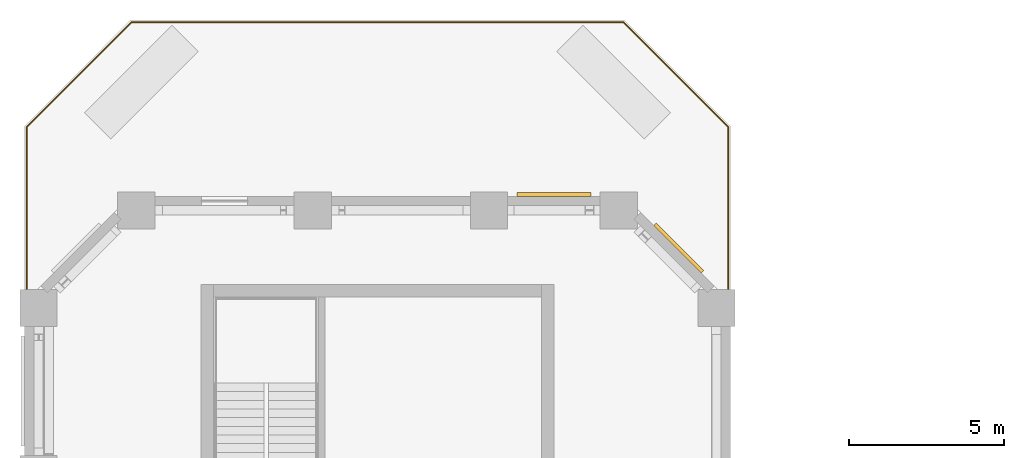
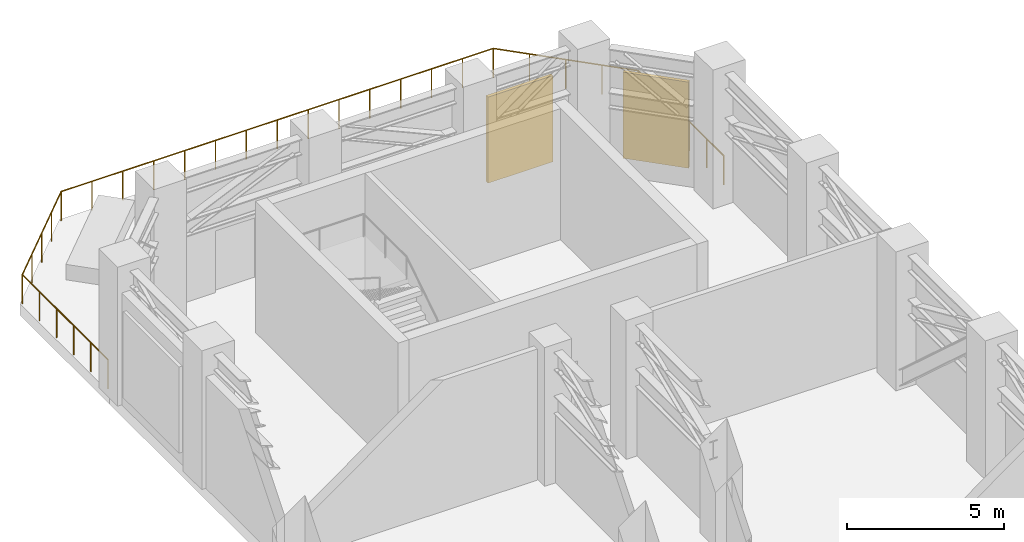
# One storey, part 14 of 14: 2 shading devices, 1 railing.
"""IFC4 building model written with IfcOpenShell, lengths in metres."""

from ifc_helpers import new_model, si_unit, direction, frame, origin, origin_2d, place, context, subcontext, project, spatial, rectangle, circle, extrude, material, layer, layer_set, type_object, element, save


model = new_model("IFC4")

# Units and contexts
model_context = context("Model", 3, precision=1e-05, world=origin(), true_north=direction((0.0, 1.0)))
body_context = subcontext(model_context, "Body", "Model", "MODEL_VIEW")
ifc_project = project(units=[si_unit("LENGTHUNIT", "METRE"), si_unit("AREAUNIT", "SQUARE_METRE"), si_unit("VOLUMEUNIT", "CUBIC_METRE"), si_unit("PLANEANGLEUNIT", "RADIAN"), si_unit("MASSUNIT", "GRAM", prefix="KILO")], contexts=[model_context])

# Site, building, storey
site_placement = place(None, origin())
site = spatial("IfcSite", under=ifc_project, at=site_placement, CompositionType="ELEMENT")
building_placement = place(site_placement, origin())
building = spatial("IfcBuilding", under=site, at=building_placement, Name="Meshkara Civic Tower", CompositionType="ELEMENT")
storey_placement = place(building_placement, frame((0.0, 0.0, 220.199951171875)))
storey = spatial("IfcBuildingStorey", under=building, at=storey_placement, Name="L50", CompositionType="ELEMENT", Elevation=220.199951171875)

# Shading devices
ifc_material_1 = material(Name="Bronze anodised aluminium louvre blades", Category="aluminium")
ifc_layer = layer(ifc_material_1, 0.1201171875)
ifc_layer_set = layer_set([ifc_layer], Name="PLANT LOUVRE BANK")
shading_device_type = type_object("IfcShadingDeviceType", Name="PLANT LOUVRE BANK", PredefinedType="USERDEFINED", material=ifc_layer_set)
shading_device_1_placement = place(storey_placement, frame((21.132080078125, 64.451904296875, 0.5), z_axis=(0.0, 0.0, 1.0), x_axis=(-0.707106781187, 0.707106781187, 0.0)))
element("IfcShadingDevice", 1, at=shading_device_1_placement, inside=storey, type_object=shading_device_type, Name="Louvre bank", ObjectType="LOUVRE", PredefinedType="USERDEFINED", context=body_context, shape_type="SweptSolid", body=[
    extrude(rectangle(XDim=2.166015625, YDim=0.1201171875, at=origin_2d()), origin(), (0.0, 0.0, 1.0), 3.35009765625),
])
shading_device_2_placement = place(storey_placement, frame((17.10009765625, 66.179931640625, 0.5), z_axis=(0.0, 0.0, 1.0), x_axis=(-1.0, 0.0, 0.0)))
element("IfcShadingDevice", 2, at=shading_device_2_placement, inside=storey, type_object=shading_device_type, Name="Louvre bank", ObjectType="LOUVRE", PredefinedType="USERDEFINED", context=body_context, shape_type="SweptSolid", body=[
    extrude(rectangle(XDim=2.387939453125, YDim=0.1201171875, at=origin_2d()), origin(), (0.0, 0.0, 1.0), 3.35009765625),
])

# Railing
ifc_material_2 = material(Name="Steel S355", Category="steel")
railing_type = type_object("IfcRailingType", Name="TERRACE BALUSTRADE 1150", PredefinedType="BALUSTRADE", material=ifc_material_2)
railing_placement = place(storey_placement, frame((0.070068359375, 62.910888671875, 0.0)))
element("IfcRailing", 3, at=railing_placement, inside=storey, type_object=railing_type, Name="Terrace guard", PredefinedType="BALUSTRADE", context=body_context, shape_type="SweptSolid", body=[
    extrude(circle(Radius=0.02392578125, at=origin_2d()), frame((0.0, 0.0, 1.1259765625), z_axis=(0.0, 1.0, 0.0), x_axis=(-1.0, 0.0, 0.0)), (0.0, 0.0, 1.0), 5.460205078125),
    extrude(circle(Radius=0.02392578125, at=origin_2d()), frame((0.0, 5.460205078125, 1.1259765625), z_axis=(0.707106781187, 0.707106781187, 0.0), x_axis=(-0.707106781187, 0.707106781187, 0.0)), (0.0, 0.0, 1.0), 4.778564453125),
    extrude(circle(Radius=0.02392578125, at=origin_2d()), frame((3.37890625, 8.839111328125, 1.1259765625), z_axis=(1.0, 0.0, 0.0), x_axis=(0.0, 1.0, 0.0)), (0.0, 0.0, 1.0), 15.902099609375),
    extrude(circle(Radius=0.02392578125, at=origin_2d()), frame((19.281005859375, 8.839111328125, 1.1259765625), z_axis=(0.707106781187, -0.707106781187, 0.0), x_axis=(0.707106781187, 0.707106781187, 0.0)), (0.0, 0.0, 1.0), 4.778564453125),
    extrude(circle(Radius=0.02392578125, at=origin_2d()), frame((22.659912109375, 5.460205078125, 1.1259765625), z_axis=(0.0, -1.0, 0.0), x_axis=(1.0, 0.0, 0.0)), (0.0, 0.0, 1.0), 5.460205078125),
    extrude(circle(Radius=0.02099609375, at=origin_2d()), origin(), (0.0, 0.0, 1.0), 1.101806640625),
    extrude(circle(Radius=0.02099609375, at=origin_2d()), frame((0.0, 1.092041015625, 0.0)), (0.0, 0.0, 1.0), 1.101806640625),
    extrude(circle(Radius=0.02099609375, at=origin_2d()), frame((0.0, 2.18408203125, 0.0)), (0.0, 0.0, 1.0), 1.101806640625),
    extrude(circle(Radius=0.02099609375, at=origin_2d()), frame((0.0, 3.276123046875, 0.0)), (0.0, 0.0, 1.0), 1.101806640625),
    extrude(circle(Radius=0.02099609375, at=origin_2d()), frame((0.0, 4.3681640625, 0.0)), (0.0, 0.0, 1.0), 1.101806640625),
    extrude(circle(Radius=0.02099609375, at=origin_2d()), frame((0.0, 5.460205078125, 0.0)), (0.0, 0.0, 1.0), 1.101806640625),
    extrude(circle(Radius=0.02099609375, at=origin_2d()), frame((0.8447265625, 6.304931640625, 0.0)), (0.0, 0.0, 1.0), 1.101806640625),
    extrude(circle(Radius=0.02099609375, at=origin_2d()), frame((1.689453125, 7.149658203125, 0.0)), (0.0, 0.0, 1.0), 1.101806640625),
    extrude(circle(Radius=0.02099609375, at=origin_2d()), frame((2.5341796875, 7.994384765625, 0.0)), (0.0, 0.0, 1.0), 1.101806640625),
    extrude(circle(Radius=0.02099609375, at=origin_2d()), frame((3.37890625, 8.839111328125, 0.0)), (0.0, 0.0, 1.0), 1.101806640625),
    extrude(circle(Radius=0.02099609375, at=origin_2d()), frame((4.5146484375, 8.839111328125, 0.0)), (0.0, 0.0, 1.0), 1.101806640625),
    extrude(circle(Radius=0.02099609375, at=origin_2d()), frame((5.650634765625, 8.839111328125, 0.0)), (0.0, 0.0, 1.0), 1.101806640625),
    extrude(circle(Radius=0.02099609375, at=origin_2d()), frame((6.78662109375, 8.839111328125, 0.0)), (0.0, 0.0, 1.0), 1.101806640625),
    extrude(circle(Radius=0.02099609375, at=origin_2d()), frame((7.92236328125, 8.839111328125, 0.0)), (0.0, 0.0, 1.0), 1.101806640625),
    extrude(circle(Radius=0.02099609375, at=origin_2d()), frame((9.05810546875, 8.839111328125, 0.0)), (0.0, 0.0, 1.0), 1.101806640625),
    extrude(circle(Radius=0.02099609375, at=origin_2d()), frame((10.194091796875, 8.839111328125, 0.0)), (0.0, 0.0, 1.0), 1.101806640625),
    extrude(circle(Radius=0.02099609375, at=origin_2d()), frame((11.330078125, 8.839111328125, 0.0)), (0.0, 0.0, 1.0), 1.101806640625),
    extrude(circle(Radius=0.02099609375, at=origin_2d()), frame((12.4658203125, 8.839111328125, 0.0)), (0.0, 0.0, 1.0), 1.101806640625),
    extrude(circle(Radius=0.02099609375, at=origin_2d()), frame((13.6015625, 8.839111328125, 0.0)), (0.0, 0.0, 1.0), 1.101806640625),
    extrude(circle(Radius=0.02099609375, at=origin_2d()), frame((14.737548828125, 8.839111328125, 0.0)), (0.0, 0.0, 1.0), 1.101806640625),
    extrude(circle(Radius=0.02099609375, at=origin_2d()), frame((15.87353515625, 8.839111328125, 0.0)), (0.0, 0.0, 1.0), 1.101806640625),
    extrude(circle(Radius=0.02099609375, at=origin_2d()), frame((17.00927734375, 8.839111328125, 0.0)), (0.0, 0.0, 1.0), 1.101806640625),
    extrude(circle(Radius=0.02099609375, at=origin_2d()), frame((18.14501953125, 8.839111328125, 0.0)), (0.0, 0.0, 1.0), 1.101806640625),
    extrude(circle(Radius=0.02099609375, at=origin_2d()), frame((19.281005859375, 8.839111328125, 0.0)), (0.0, 0.0, 1.0), 1.101806640625),
    extrude(circle(Radius=0.02099609375, at=origin_2d()), frame((20.125732421875, 7.994384765625, 0.0)), (0.0, 0.0, 1.0), 1.101806640625),
    extrude(circle(Radius=0.02099609375, at=origin_2d()), frame((20.970458984375, 7.149658203125, 0.0)), (0.0, 0.0, 1.0), 1.101806640625),
    extrude(circle(Radius=0.02099609375, at=origin_2d()), frame((21.815185546875, 6.304931640625, 0.0)), (0.0, 0.0, 1.0), 1.101806640625),
    extrude(circle(Radius=0.02099609375, at=origin_2d()), frame((22.659912109375, 5.460205078125, 0.0)), (0.0, 0.0, 1.0), 1.101806640625),
    extrude(circle(Radius=0.02099609375, at=origin_2d()), frame((22.659912109375, 4.3681640625, 0.0)), (0.0, 0.0, 1.0), 1.101806640625),
    extrude(circle(Radius=0.02099609375, at=origin_2d()), frame((22.659912109375, 3.276123046875, 0.0)), (0.0, 0.0, 1.0), 1.101806640625),
    extrude(circle(Radius=0.02099609375, at=origin_2d()), frame((22.659912109375, 2.18408203125, 0.0)), (0.0, 0.0, 1.0), 1.101806640625),
    extrude(circle(Radius=0.02099609375, at=origin_2d()), frame((22.659912109375, 1.092041015625, 0.0)), (0.0, 0.0, 1.0), 1.101806640625),
    extrude(circle(Radius=0.02099609375, at=origin_2d()), frame((22.659912109375, 0.0, 0.0)), (0.0, 0.0, 1.0), 1.101806640625),
])

save(model, "model.ifc")
